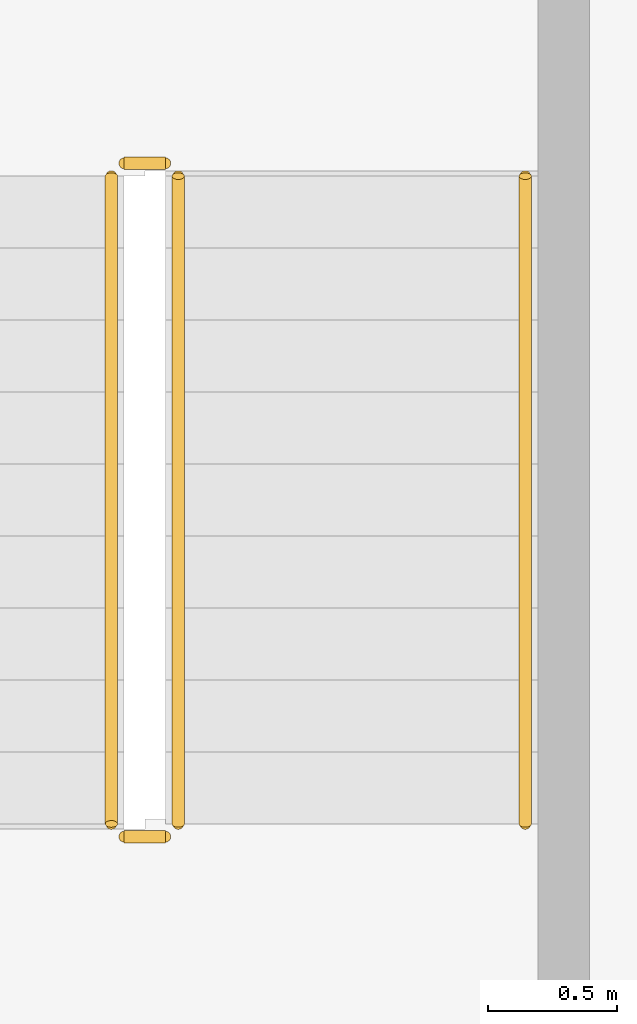
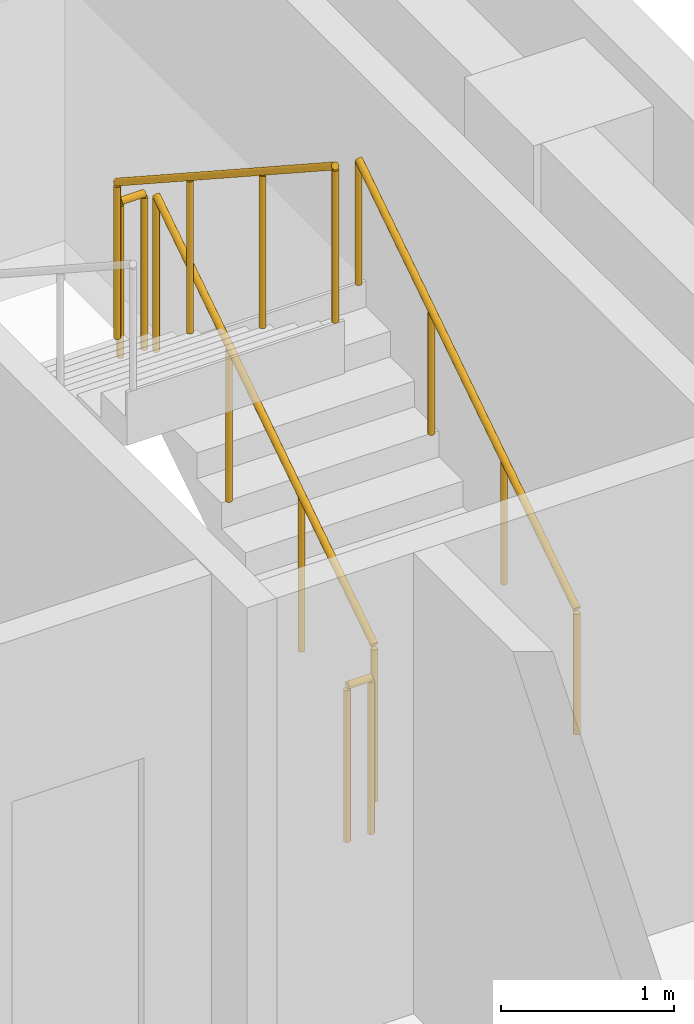
# One storey, part 15 of 16: 5 railings.
"""IFC4 building model written with IfcOpenShell, lengths in metres."""

from ifc_helpers import new_model, si_unit, direction, frame, origin, origin_2d, place, context, subcontext, project, spatial, circle, extrude, material, type_object, element, save


model = new_model("IFC4")

# Units and contexts
model_context = context("Model", 3, precision=1e-05, world=origin(), true_north=direction((0.0, 1.0)))
body_context = subcontext(model_context, "Body", "Model", "MODEL_VIEW")
ifc_project = project(units=[si_unit("LENGTHUNIT", "METRE"), si_unit("AREAUNIT", "SQUARE_METRE"), si_unit("VOLUMEUNIT", "CUBIC_METRE"), si_unit("PLANEANGLEUNIT", "RADIAN"), si_unit("MASSUNIT", "GRAM", prefix="KILO")], contexts=[model_context])

# Site, building, storey
site_placement = place(None, origin())
site = spatial("IfcSite", under=ifc_project, at=site_placement, CompositionType="ELEMENT")
building_placement = place(site_placement, origin())
building = spatial("IfcBuilding", under=site, at=building_placement, Name="Nuvemarco Arch Tower", CompositionType="ELEMENT")
storey_placement = place(building_placement, frame((0.0, 0.0, 249.300048828125)))
storey = spatial("IfcBuildingStorey", under=building, at=storey_placement, Name="L66", CompositionType="ELEMENT", Elevation=249.300048828125)

# Railings
ifc_material_1 = material(Name="Brushed stainless steel handrail", Category="steel")
railing_type_1 = type_object("IfcRailingType", Name="RL-HANDRAIL-900", PredefinedType="HANDRAIL", material=ifc_material_1)
railing_1_placement = place(storey_placement, frame((16.550048828125, 2.64990234375, 0.182373046875)))
element("IfcRailing", 1, at=railing_1_placement, inside=storey, type_object=railing_type_1, Name="L66 ST-2 stair handrail 1", PredefinedType="HANDRAIL", context=body_context, shape_type="SweptSolid", body=[
    extrude(circle(Radius=0.02392578125, at=origin_2d()), frame((0.0, 0.0, 0.8759765625), z_axis=(0.0, 0.837749427056, 0.546054848405), x_axis=(-1.0, 0.0, 0.0)), (0.0, 0.0, 1.0), 3.008056640625),
    extrude(circle(Radius=0.02099609375, at=origin_2d()), origin(), (0.0, 0.0, 1.0), 0.851806640625),
    extrude(circle(Radius=0.02099609375, at=origin_2d()), frame((0.0, 0.840087890625, 0.547607421875)), (0.0, 0.0, 1.0), 0.851806640625),
    extrude(circle(Radius=0.02099609375, at=origin_2d()), frame((0.0, 1.679931640625, 1.094970703125)), (0.0, 0.0, 1.0), 0.851806640625),
    extrude(circle(Radius=0.02099609375, at=origin_2d()), frame((0.0, 2.52001953125, 1.642578125)), (0.0, 0.0, 1.0), 0.851806640625),
])
ifc_material_2 = material(Name="Painted balustrade steel S355", Category="steel")
railing_type_2 = type_object("IfcRailingType", Name="RL-STAIR-GUARD", PredefinedType="GUARDRAIL", material=ifc_material_2)
railing_2_placement = place(storey_placement, frame((15.199951171875, 2.64990234375, 0.182373046875)))
element("IfcRailing", 2, at=railing_2_placement, inside=storey, type_object=railing_type_2, Name="L66 ST-2 stair guard 1", PredefinedType="GUARDRAIL", context=body_context, shape_type="SweptSolid", body=[
    extrude(circle(Radius=0.02392578125, at=origin_2d()), frame((0.0, 0.0, 1.09619140625), z_axis=(0.0, 0.837749427056, 0.546054848405), x_axis=(-1.0, 0.0, 0.0)), (0.0, 0.0, 1.0), 3.008056640625),
    extrude(circle(Radius=0.02099609375, at=origin_2d()), origin(), (0.0, 0.0, 1.0), 1.072021484375),
    extrude(circle(Radius=0.02099609375, at=origin_2d()), frame((0.0, 0.840087890625, 0.547607421875)), (0.0, 0.0, 1.0), 1.072021484375),
    extrude(circle(Radius=0.02099609375, at=origin_2d()), frame((0.0, 1.679931640625, 1.094970703125)), (0.0, 0.0, 1.0), 1.072021484375),
    extrude(circle(Radius=0.02099609375, at=origin_2d()), frame((0.0, 2.52001953125, 1.642578125)), (0.0, 0.0, 1.0), 1.072021484375),
])
railing_3_placement = place(storey_placement, frame((15.14990234375, 5.219970703125, 1.824951171875)))
element("IfcRailing", 3, at=railing_3_placement, inside=storey, type_object=railing_type_2, Name="L66 ST-2 stair guard 2", PredefinedType="GUARDRAIL", context=body_context, shape_type="SweptSolid", body=[
    extrude(circle(Radius=0.02392578125, at=origin_2d()), frame((0.0, 0.0, 1.09619140625), z_axis=(-1.0, 0.0, 0.0), x_axis=(0.0, -1.0, 0.0)), (0.0, 0.0, 1.0), 0.159912109375),
    extrude(circle(Radius=0.02099609375, at=origin_2d()), origin(), (0.0, 0.0, 1.0), 1.072021484375),
    extrude(circle(Radius=0.02099609375, at=origin_2d()), frame((-0.159912109375, 0.0, 0.0)), (0.0, 0.0, 1.0), 1.072021484375),
])
railing_4_placement = place(storey_placement, frame((14.93994140625, 5.169921875, 2.007568359375)))
element("IfcRailing", 4, at=railing_4_placement, inside=storey, type_object=railing_type_2, Name="L66 ST-2 stair guard 3", PredefinedType="GUARDRAIL", context=body_context, shape_type="SweptSolid", body=[
    extrude(circle(Radius=0.02392578125, at=origin_2d()), frame((0.0, 0.0, 1.09619140625), z_axis=(0.0, -0.837786554691, 0.545997883492), x_axis=(1.0, 0.0, 0.0)), (0.0, 0.0, 1.0), 3.008056640625),
    extrude(circle(Radius=0.02099609375, at=origin_2d()), origin(), (0.0, 0.0, 1.0), 1.072021484375),
    extrude(circle(Radius=0.02099609375, at=origin_2d()), frame((0.0, -0.840087890625, 0.54736328125)), (0.0, 0.0, 1.0), 1.072021484375),
    extrude(circle(Radius=0.02099609375, at=origin_2d()), frame((0.0, -1.679931640625, 1.094970703125)), (0.0, 0.0, 1.0), 1.072021484375),
    extrude(circle(Radius=0.02099609375, at=origin_2d()), frame((0.0, -2.52001953125, 1.642333984375)), (0.0, 0.0, 1.0), 1.072021484375),
])
railing_5_placement = place(storey_placement, frame((15.14990234375, 2.60009765625, 0.0)))
element("IfcRailing", 5, at=railing_5_placement, inside=storey, type_object=railing_type_2, Name="L66 ST-2 stair guard 4", PredefinedType="GUARDRAIL", context=body_context, shape_type="SweptSolid", body=[
    extrude(circle(Radius=0.02392578125, at=origin_2d()), frame((0.0, 0.0, 1.09619140625), z_axis=(-1.0, 0.0, 0.0), x_axis=(0.0, -1.0, 0.0)), (0.0, 0.0, 1.0), 0.159912109375),
    extrude(circle(Radius=0.02099609375, at=origin_2d()), origin(), (0.0, 0.0, 1.0), 1.072021484375),
    extrude(circle(Radius=0.02099609375, at=origin_2d()), frame((-0.159912109375, 0.0, 0.0)), (0.0, 0.0, 1.0), 1.072021484375),
])

save(model, "model.ifc")
